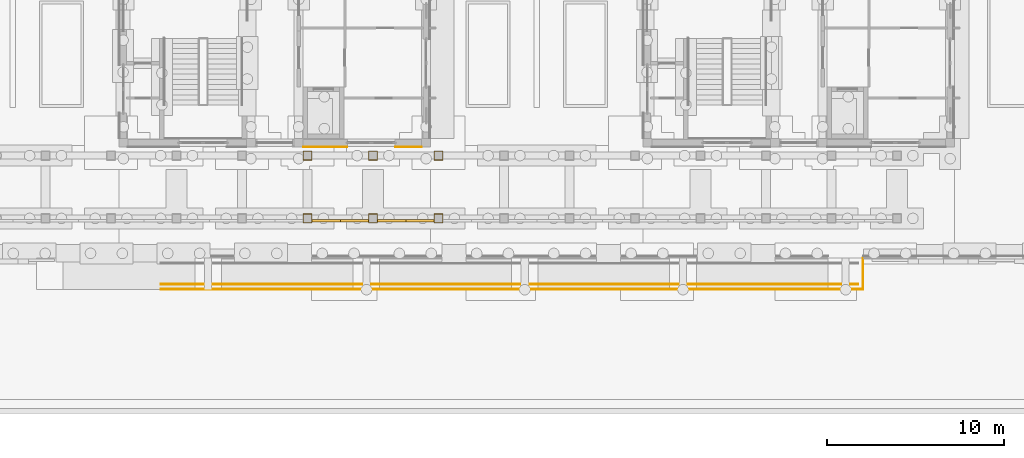
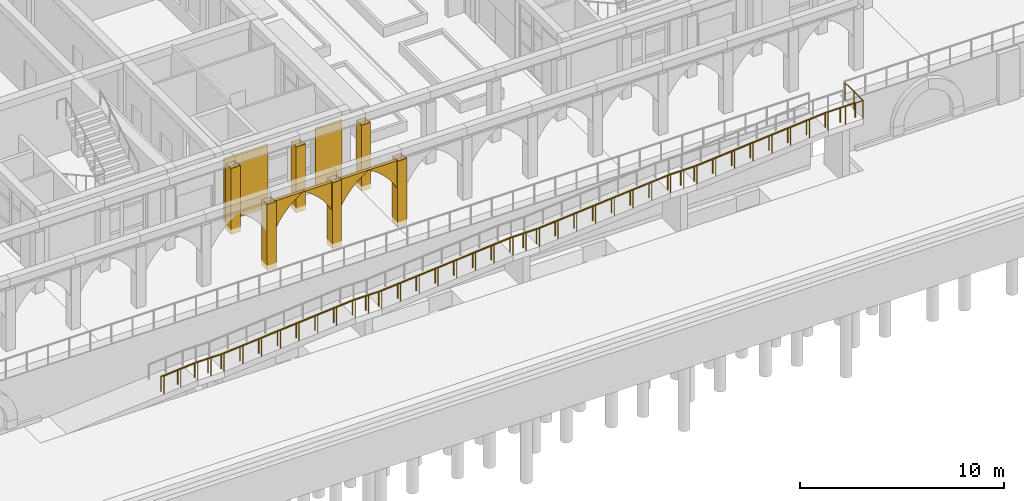
# One storey, part 121 of 161: 12 coverings, 2 railings.
"""IFC4 building model written with IfcOpenShell, lengths in metres."""

from ifc_helpers import new_model, si_unit, direction, frame, origin, origin_2d, place, context, subcontext, project, spatial, polyline, rectangle, circle, outline, extrude, material, layer, layer_set, type_object, element, save


model = new_model("IFC4")

# Units and contexts
model_context = context("Model", 3, precision=1e-05, world=origin(), true_north=direction((0.0, 1.0)))
body_context = subcontext(model_context, "Body", "Model", "MODEL_VIEW")
ifc_project = project(units=[si_unit("LENGTHUNIT", "METRE"), si_unit("AREAUNIT", "SQUARE_METRE"), si_unit("VOLUMEUNIT", "CUBIC_METRE"), si_unit("PLANEANGLEUNIT", "RADIAN"), si_unit("MASSUNIT", "GRAM", prefix="KILO")], contexts=[model_context])

# Site, building, storey
site_placement = place(None, origin())
site = spatial("IfcSite", under=ifc_project, at=site_placement, CompositionType="ELEMENT")
building_placement = place(site_placement, origin())
building = spatial("IfcBuilding", under=site, at=building_placement, Name="Elbe Cascade School", CompositionType="ELEMENT")
storey_placement = place(building_placement, origin())
storey = spatial("IfcBuildingStorey", under=building, at=storey_placement, Name="L00", CompositionType="ELEMENT", Elevation=0.0)

# Coverings
ifc_material_1 = material(Name="Sandstone - red", Category="masonry")
ifc_layer_1 = layer(ifc_material_1, 0.0400390625)
ifc_layer_set_1 = layer_set([ifc_layer_1], Name="Sandstone - red")
covering_type_1 = type_object("IfcCoveringType", Name="Bars envelope Sandstone cladding, red, 40 mm", PredefinedType="CLADDING", material=ifc_layer_set_1)
covering_1_placement = place(storey_placement, frame((139.60009765625, 5.760009765625, 0.0), z_axis=(0.0, 0.0, 1.0), x_axis=(1.0, 0.0, 0.0)))
element("IfcCovering", 1, at=covering_1_placement, inside=storey, type_object=covering_type_1, Name="Sandstone cladding CV48 C.L00.s.3a.1", PredefinedType="CLADDING", context=body_context, shape_type="SweptSolid", body=[
    extrude(rectangle(XDim=2.5, YDim=0.0400390625, at=origin_2d()), origin(), (0.0, 0.0, 1.0), 3.800048828125),
])
covering_2_placement = place(storey_placement, frame((144.300048828125, 5.760009765625, 0.0), z_axis=(0.0, 0.0, 1.0), x_axis=(1.0, 0.0, 0.0)))
element("IfcCovering", 2, at=covering_2_placement, inside=storey, type_object=covering_type_1, Name="Sandstone cladding CV48 C.L00.s.3b.1", PredefinedType="CLADDING", context=body_context, shape_type="SweptSolid", body=[
    extrude(rectangle(XDim=1.5, YDim=0.0400390625, at=origin_2d()), origin(), (0.0, 0.0, 1.0), 3.800048828125),
])

# Railings
ifc_material_2 = material(Name="Steel S355J2H", Category="steel")
railing_type_1 = type_object("IfcRailingType", Name="Quay and steps guard 1100", PredefinedType="GUARDRAIL", material=ifc_material_2)
railing_1_placement = place(storey_placement, frame((130.320068359375, -2.279052734375, -2.639892578125)))
element("IfcRailing", 3, at=railing_1_placement, inside=storey, type_object=railing_type_1, Name="Quay ramp south guard", PredefinedType="GUARDRAIL", context=body_context, shape_type="SweptSolid", body=[
    extrude(circle(Radius=0.02392578125, at=origin_2d()), frame((0.0, 0.0, 1.076171875), z_axis=(0.996549253167, 0.0, 0.083003530115), x_axis=(0.0, 1.0, 0.0)), (0.0, 0.0, 1.0), 1.926513671875),
    extrude(circle(Radius=0.02392578125, at=origin_2d()), frame((1.919921875, 0.0, 1.23583984375), z_axis=(1.0, 0.0, 0.0), x_axis=(0.0, 1.0, 0.0)), (0.0, 0.0, 1.0), 1.5),
    extrude(circle(Radius=0.02392578125, at=origin_2d()), frame((3.419921875, 0.0, 1.23583984375), z_axis=(0.99654711128, 0.0, 0.08302924183), x_axis=(0.0, 1.0, 0.0)), (0.0, 0.0, 1.0), 7.4658203125),
    extrude(circle(Radius=0.02392578125, at=origin_2d()), frame((10.85986328125, 0.0, 1.85595703125), z_axis=(1.0, 0.0, 0.0), x_axis=(0.0, 1.0, 0.0)), (0.0, 0.0, 1.0), 1.5),
    extrude(circle(Radius=0.02392578125, at=origin_2d()), frame((12.35986328125, 0.0, 1.85595703125), z_axis=(0.996544630553, 0.0, 0.083059011045), x_axis=(0.0, 1.0, 0.0)), (0.0, 0.0, 1.0), 7.466064453125),
    extrude(circle(Radius=0.02392578125, at=origin_2d()), frame((19.800048828125, 0.0, 2.47607421875), z_axis=(1.0, 0.0, 0.0), x_axis=(0.0, 1.0, 0.0)), (0.0, 0.0, 1.0), 1.5),
    extrude(circle(Radius=0.02392578125, at=origin_2d()), frame((21.300048828125, 0.0, 2.47607421875), z_axis=(0.99654711128, 0.0, 0.08302924183), x_axis=(0.0, 1.0, 0.0)), (0.0, 0.0, 1.0), 7.4658203125),
    extrude(circle(Radius=0.02392578125, at=origin_2d()), frame((28.739990234375, 0.0, 3.095703125), z_axis=(1.0, 0.0, 0.0), x_axis=(0.0, 1.0, 0.0)), (0.0, 0.0, 1.0), 1.5),
    extrude(circle(Radius=0.02392578125, at=origin_2d()), frame((30.239990234375, 0.0, 3.095703125), z_axis=(0.996544404949, 0.0, 0.083061717811), x_axis=(0.0, 1.0, 0.0)), (0.0, 0.0, 1.0), 7.4658203125),
    extrude(circle(Radius=0.02392578125, at=origin_2d()), frame((37.679931640625, 0.0, 3.7158203125), z_axis=(1.0, 0.0, 0.0), x_axis=(0.0, 1.0, 0.0)), (0.0, 0.0, 1.0), 1.97900390625),
    extrude(circle(Radius=0.02392578125, at=origin_2d()), frame((39.658935546875, 0.0, 3.7158203125), z_axis=(0.0, 1.0, 0.0), x_axis=(-1.0, 0.0, 0.0)), (0.0, 0.0, 1.0), 1.758056640625),
    extrude(circle(Radius=0.02099609375, at=origin_2d()), origin(), (0.0, 0.0, 1.0), 1.052001953125),
    extrude(circle(Radius=0.02099609375, at=origin_2d()), frame((0.9599609375, 0.0, 0.080078125)), (0.0, 0.0, 1.0), 1.052001953125),
    extrude(circle(Radius=0.02099609375, at=origin_2d()), frame((1.919921875, 0.0, 0.159912109375)), (0.0, 0.0, 1.0), 1.052001953125),
    extrude(circle(Radius=0.02099609375, at=origin_2d()), frame((2.669921875, 0.0, 0.159912109375)), (0.0, 0.0, 1.0), 1.052001953125),
    extrude(circle(Radius=0.02099609375, at=origin_2d()), frame((3.419921875, 0.0, 0.159912109375)), (0.0, 0.0, 1.0), 1.052001953125),
    extrude(circle(Radius=0.02099609375, at=origin_2d()), frame((4.482666015625, 0.0, 0.24853515625)), (0.0, 0.0, 1.0), 1.052001953125),
    extrude(circle(Radius=0.02099609375, at=origin_2d()), frame((5.545654296875, 0.0, 0.3369140625)), (0.0, 0.0, 1.0), 1.052001953125),
    extrude(circle(Radius=0.02099609375, at=origin_2d()), frame((6.6083984375, 0.0, 0.425537109375)), (0.0, 0.0, 1.0), 1.052001953125),
    extrude(circle(Radius=0.02099609375, at=origin_2d()), frame((7.67138671875, 0.0, 0.51416015625)), (0.0, 0.0, 1.0), 1.052001953125),
    extrude(circle(Radius=0.02099609375, at=origin_2d()), frame((8.734130859375, 0.0, 0.602783203125)), (0.0, 0.0, 1.0), 1.052001953125),
    extrude(circle(Radius=0.02099609375, at=origin_2d()), frame((9.797119140625, 0.0, 0.691162109375)), (0.0, 0.0, 1.0), 1.052001953125),
    extrude(circle(Radius=0.02099609375, at=origin_2d()), frame((10.85986328125, 0.0, 0.77978515625)), (0.0, 0.0, 1.0), 1.052001953125),
    extrude(circle(Radius=0.02099609375, at=origin_2d()), frame((11.60986328125, 0.0, 0.77978515625)), (0.0, 0.0, 1.0), 1.052001953125),
    extrude(circle(Radius=0.02099609375, at=origin_2d()), frame((12.35986328125, 0.0, 0.77978515625)), (0.0, 0.0, 1.0), 1.052001953125),
    extrude(circle(Radius=0.02099609375, at=origin_2d()), frame((13.4228515625, 0.0, 0.868408203125)), (0.0, 0.0, 1.0), 1.052001953125),
    extrude(circle(Radius=0.02099609375, at=origin_2d()), frame((14.485595703125, 0.0, 0.95703125)), (0.0, 0.0, 1.0), 1.052001953125),
    extrude(circle(Radius=0.02099609375, at=origin_2d()), frame((15.548583984375, 0.0, 1.045654296875)), (0.0, 0.0, 1.0), 1.052001953125),
    extrude(circle(Radius=0.02099609375, at=origin_2d()), frame((16.611328125, 0.0, 1.134033203125)), (0.0, 0.0, 1.0), 1.052001953125),
    extrude(circle(Radius=0.02099609375, at=origin_2d()), frame((17.67431640625, 0.0, 1.22265625)), (0.0, 0.0, 1.0), 1.052001953125),
    extrude(circle(Radius=0.02099609375, at=origin_2d()), frame((18.737060546875, 0.0, 1.311279296875)), (0.0, 0.0, 1.0), 1.052001953125),
    extrude(circle(Radius=0.02099609375, at=origin_2d()), frame((19.800048828125, 0.0, 1.39990234375)), (0.0, 0.0, 1.0), 1.052001953125),
    extrude(circle(Radius=0.02099609375, at=origin_2d()), frame((20.550048828125, 0.0, 1.39990234375)), (0.0, 0.0, 1.0), 1.052001953125),
    extrude(circle(Radius=0.02099609375, at=origin_2d()), frame((21.300048828125, 0.0, 1.39990234375)), (0.0, 0.0, 1.0), 1.052001953125),
    extrude(circle(Radius=0.02099609375, at=origin_2d()), frame((22.36279296875, 0.0, 1.488525390625)), (0.0, 0.0, 1.0), 1.052001953125),
    extrude(circle(Radius=0.02099609375, at=origin_2d()), frame((23.42578125, 0.0, 1.576904296875)), (0.0, 0.0, 1.0), 1.052001953125),
    extrude(circle(Radius=0.02099609375, at=origin_2d()), frame((24.488525390625, 0.0, 1.66552734375)), (0.0, 0.0, 1.0), 1.052001953125),
    extrude(circle(Radius=0.02099609375, at=origin_2d()), frame((25.551513671875, 0.0, 1.754150390625)), (0.0, 0.0, 1.0), 1.052001953125),
    extrude(circle(Radius=0.02099609375, at=origin_2d()), frame((26.6142578125, 0.0, 1.8427734375)), (0.0, 0.0, 1.0), 1.052001953125),
    extrude(circle(Radius=0.02099609375, at=origin_2d()), frame((27.67724609375, 0.0, 1.93115234375)), (0.0, 0.0, 1.0), 1.052001953125),
    extrude(circle(Radius=0.02099609375, at=origin_2d()), frame((28.739990234375, 0.0, 2.019775390625)), (0.0, 0.0, 1.0), 1.052001953125),
    extrude(circle(Radius=0.02099609375, at=origin_2d()), frame((29.489990234375, 0.0, 2.019775390625)), (0.0, 0.0, 1.0), 1.052001953125),
    extrude(circle(Radius=0.02099609375, at=origin_2d()), frame((30.239990234375, 0.0, 2.019775390625)), (0.0, 0.0, 1.0), 1.052001953125),
    extrude(circle(Radius=0.02099609375, at=origin_2d()), frame((31.302734375, 0.0, 2.1083984375)), (0.0, 0.0, 1.0), 1.052001953125),
    extrude(circle(Radius=0.02099609375, at=origin_2d()), frame((32.36572265625, 0.0, 2.197021484375)), (0.0, 0.0, 1.0), 1.052001953125),
    extrude(circle(Radius=0.02099609375, at=origin_2d()), frame((33.428466796875, 0.0, 2.28564453125)), (0.0, 0.0, 1.0), 1.052001953125),
    extrude(circle(Radius=0.02099609375, at=origin_2d()), frame((34.491455078125, 0.0, 2.3740234375)), (0.0, 0.0, 1.0), 1.052001953125),
    extrude(circle(Radius=0.02099609375, at=origin_2d()), frame((35.55419921875, 0.0, 2.462646484375)), (0.0, 0.0, 1.0), 1.052001953125),
    extrude(circle(Radius=0.02099609375, at=origin_2d()), frame((36.6171875, 0.0, 2.55126953125)), (0.0, 0.0, 1.0), 1.052001953125),
    extrude(circle(Radius=0.02099609375, at=origin_2d()), frame((37.679931640625, 0.0, 2.639892578125)), (0.0, 0.0, 1.0), 1.052001953125),
    extrude(circle(Radius=0.02099609375, at=origin_2d()), frame((38.66943359375, 0.0, 2.639892578125)), (0.0, 0.0, 1.0), 1.052001953125),
    extrude(circle(Radius=0.02099609375, at=origin_2d()), frame((39.658935546875, 0.0, 2.639892578125)), (0.0, 0.0, 1.0), 1.052001953125),
    extrude(circle(Radius=0.02099609375, at=origin_2d()), frame((39.658935546875, 0.87890625, 2.639892578125)), (0.0, 0.0, 1.0), 1.052001953125),
    extrude(circle(Radius=0.02099609375, at=origin_2d()), frame((39.658935546875, 1.758056640625, 2.639892578125)), (0.0, 0.0, 1.0), 1.052001953125),
])
ifc_material_3 = material(Name="Steel S355J2H", Category="steel")
railing_type_2 = type_object("IfcRailingType", Name="Quay and steps handrail 900", PredefinedType="HANDRAIL", material=ifc_material_3)
railing_2_placement = place(storey_placement, frame((130.320068359375, -2.0, -2.639892578125)))
element("IfcRailing", 4, at=railing_2_placement, inside=storey, type_object=railing_type_2, Name="Quay ramp south hand", PredefinedType="HANDRAIL", context=body_context, shape_type="SweptSolid", body=[
    extrude(circle(Radius=0.02392578125, at=origin_2d()), frame((0.0, 0.0, 0.8759765625), z_axis=(0.996549253167, 0.0, 0.083003530115), x_axis=(0.0, 1.0, 0.0)), (0.0, 0.0, 1.0), 1.926513671875),
    extrude(circle(Radius=0.02392578125, at=origin_2d()), frame((1.919921875, 0.0, 1.03564453125), z_axis=(1.0, 0.0, 0.0), x_axis=(0.0, 1.0, 0.0)), (0.0, 0.0, 1.0), 1.5),
    extrude(circle(Radius=0.02392578125, at=origin_2d()), frame((3.419921875, 0.0, 1.03564453125), z_axis=(0.99654711128, 0.0, 0.08302924183), x_axis=(0.0, 1.0, 0.0)), (0.0, 0.0, 1.0), 7.4658203125),
    extrude(circle(Radius=0.02392578125, at=origin_2d()), frame((10.85986328125, 0.0, 1.65576171875), z_axis=(1.0, 0.0, 0.0), x_axis=(0.0, 1.0, 0.0)), (0.0, 0.0, 1.0), 1.5),
    extrude(circle(Radius=0.02392578125, at=origin_2d()), frame((12.35986328125, 0.0, 1.65576171875), z_axis=(0.996544630553, 0.0, 0.083059011045), x_axis=(0.0, 1.0, 0.0)), (0.0, 0.0, 1.0), 7.466064453125),
    extrude(circle(Radius=0.02392578125, at=origin_2d()), frame((19.800048828125, 0.0, 2.27587890625), z_axis=(1.0, 0.0, 0.0), x_axis=(0.0, 1.0, 0.0)), (0.0, 0.0, 1.0), 1.5),
    extrude(circle(Radius=0.02392578125, at=origin_2d()), frame((21.300048828125, 0.0, 2.27587890625), z_axis=(0.99654711128, 0.0, 0.08302924183), x_axis=(0.0, 1.0, 0.0)), (0.0, 0.0, 1.0), 7.4658203125),
    extrude(circle(Radius=0.02392578125, at=origin_2d()), frame((28.739990234375, 0.0, 2.8955078125), z_axis=(1.0, 0.0, 0.0), x_axis=(0.0, 1.0, 0.0)), (0.0, 0.0, 1.0), 1.5),
    extrude(circle(Radius=0.02392578125, at=origin_2d()), frame((30.239990234375, 0.0, 2.8955078125), z_axis=(0.996544404949, 0.0, 0.083061717811), x_axis=(0.0, 1.0, 0.0)), (0.0, 0.0, 1.0), 7.4658203125),
    extrude(circle(Radius=0.02392578125, at=origin_2d()), frame((37.679931640625, 0.0, 3.515625), z_axis=(1.0, 0.0, 0.0), x_axis=(0.0, 1.0, 0.0)), (0.0, 0.0, 1.0), 1.699951171875),
    extrude(circle(Radius=0.02099609375, at=origin_2d()), origin(), (0.0, 0.0, 1.0), 0.851806640625),
    extrude(circle(Radius=0.02099609375, at=origin_2d()), frame((0.9599609375, 0.0, 0.080078125)), (0.0, 0.0, 1.0), 0.851806640625),
    extrude(circle(Radius=0.02099609375, at=origin_2d()), frame((1.919921875, 0.0, 0.159912109375)), (0.0, 0.0, 1.0), 0.851806640625),
    extrude(circle(Radius=0.02099609375, at=origin_2d()), frame((2.669921875, 0.0, 0.159912109375)), (0.0, 0.0, 1.0), 0.851806640625),
    extrude(circle(Radius=0.02099609375, at=origin_2d()), frame((3.419921875, 0.0, 0.159912109375)), (0.0, 0.0, 1.0), 0.851806640625),
    extrude(circle(Radius=0.02099609375, at=origin_2d()), frame((4.482666015625, 0.0, 0.24853515625)), (0.0, 0.0, 1.0), 0.851806640625),
    extrude(circle(Radius=0.02099609375, at=origin_2d()), frame((5.545654296875, 0.0, 0.3369140625)), (0.0, 0.0, 1.0), 0.851806640625),
    extrude(circle(Radius=0.02099609375, at=origin_2d()), frame((6.6083984375, 0.0, 0.425537109375)), (0.0, 0.0, 1.0), 0.851806640625),
    extrude(circle(Radius=0.02099609375, at=origin_2d()), frame((7.67138671875, 0.0, 0.51416015625)), (0.0, 0.0, 1.0), 0.851806640625),
    extrude(circle(Radius=0.02099609375, at=origin_2d()), frame((8.734130859375, 0.0, 0.602783203125)), (0.0, 0.0, 1.0), 0.851806640625),
    extrude(circle(Radius=0.02099609375, at=origin_2d()), frame((9.797119140625, 0.0, 0.691162109375)), (0.0, 0.0, 1.0), 0.851806640625),
    extrude(circle(Radius=0.02099609375, at=origin_2d()), frame((10.85986328125, 0.0, 0.77978515625)), (0.0, 0.0, 1.0), 0.851806640625),
    extrude(circle(Radius=0.02099609375, at=origin_2d()), frame((11.60986328125, 0.0, 0.77978515625)), (0.0, 0.0, 1.0), 0.851806640625),
    extrude(circle(Radius=0.02099609375, at=origin_2d()), frame((12.35986328125, 0.0, 0.77978515625)), (0.0, 0.0, 1.0), 0.851806640625),
    extrude(circle(Radius=0.02099609375, at=origin_2d()), frame((13.4228515625, 0.0, 0.868408203125)), (0.0, 0.0, 1.0), 0.851806640625),
    extrude(circle(Radius=0.02099609375, at=origin_2d()), frame((14.485595703125, 0.0, 0.95703125)), (0.0, 0.0, 1.0), 0.851806640625),
    extrude(circle(Radius=0.02099609375, at=origin_2d()), frame((15.548583984375, 0.0, 1.045654296875)), (0.0, 0.0, 1.0), 0.851806640625),
    extrude(circle(Radius=0.02099609375, at=origin_2d()), frame((16.611328125, 0.0, 1.134033203125)), (0.0, 0.0, 1.0), 0.851806640625),
    extrude(circle(Radius=0.02099609375, at=origin_2d()), frame((17.67431640625, 0.0, 1.22265625)), (0.0, 0.0, 1.0), 0.851806640625),
    extrude(circle(Radius=0.02099609375, at=origin_2d()), frame((18.737060546875, 0.0, 1.311279296875)), (0.0, 0.0, 1.0), 0.851806640625),
    extrude(circle(Radius=0.02099609375, at=origin_2d()), frame((19.800048828125, 0.0, 1.39990234375)), (0.0, 0.0, 1.0), 0.851806640625),
    extrude(circle(Radius=0.02099609375, at=origin_2d()), frame((20.550048828125, 0.0, 1.39990234375)), (0.0, 0.0, 1.0), 0.851806640625),
    extrude(circle(Radius=0.02099609375, at=origin_2d()), frame((21.300048828125, 0.0, 1.39990234375)), (0.0, 0.0, 1.0), 0.851806640625),
    extrude(circle(Radius=0.02099609375, at=origin_2d()), frame((22.36279296875, 0.0, 1.488525390625)), (0.0, 0.0, 1.0), 0.851806640625),
    extrude(circle(Radius=0.02099609375, at=origin_2d()), frame((23.42578125, 0.0, 1.576904296875)), (0.0, 0.0, 1.0), 0.851806640625),
    extrude(circle(Radius=0.02099609375, at=origin_2d()), frame((24.488525390625, 0.0, 1.66552734375)), (0.0, 0.0, 1.0), 0.851806640625),
    extrude(circle(Radius=0.02099609375, at=origin_2d()), frame((25.551513671875, 0.0, 1.754150390625)), (0.0, 0.0, 1.0), 0.851806640625),
    extrude(circle(Radius=0.02099609375, at=origin_2d()), frame((26.6142578125, 0.0, 1.8427734375)), (0.0, 0.0, 1.0), 0.851806640625),
    extrude(circle(Radius=0.02099609375, at=origin_2d()), frame((27.67724609375, 0.0, 1.93115234375)), (0.0, 0.0, 1.0), 0.851806640625),
    extrude(circle(Radius=0.02099609375, at=origin_2d()), frame((28.739990234375, 0.0, 2.019775390625)), (0.0, 0.0, 1.0), 0.851806640625),
    extrude(circle(Radius=0.02099609375, at=origin_2d()), frame((29.489990234375, 0.0, 2.019775390625)), (0.0, 0.0, 1.0), 0.851806640625),
    extrude(circle(Radius=0.02099609375, at=origin_2d()), frame((30.239990234375, 0.0, 2.019775390625)), (0.0, 0.0, 1.0), 0.851806640625),
    extrude(circle(Radius=0.02099609375, at=origin_2d()), frame((31.302734375, 0.0, 2.1083984375)), (0.0, 0.0, 1.0), 0.851806640625),
    extrude(circle(Radius=0.02099609375, at=origin_2d()), frame((32.36572265625, 0.0, 2.197021484375)), (0.0, 0.0, 1.0), 0.851806640625),
    extrude(circle(Radius=0.02099609375, at=origin_2d()), frame((33.428466796875, 0.0, 2.28564453125)), (0.0, 0.0, 1.0), 0.851806640625),
    extrude(circle(Radius=0.02099609375, at=origin_2d()), frame((34.491455078125, 0.0, 2.3740234375)), (0.0, 0.0, 1.0), 0.851806640625),
    extrude(circle(Radius=0.02099609375, at=origin_2d()), frame((35.55419921875, 0.0, 2.462646484375)), (0.0, 0.0, 1.0), 0.851806640625),
    extrude(circle(Radius=0.02099609375, at=origin_2d()), frame((36.6171875, 0.0, 2.55126953125)), (0.0, 0.0, 1.0), 0.851806640625),
    extrude(circle(Radius=0.02099609375, at=origin_2d()), frame((37.679931640625, 0.0, 2.639892578125)), (0.0, 0.0, 1.0), 0.851806640625),
    extrude(circle(Radius=0.02099609375, at=origin_2d()), frame((38.52978515625, 0.0, 2.639892578125)), (0.0, 0.0, 1.0), 0.851806640625),
    extrude(circle(Radius=0.02099609375, at=origin_2d()), frame((39.3798828125, 0.0, 2.639892578125)), (0.0, 0.0, 1.0), 0.851806640625),
])

# Coverings
ifc_material_4 = material(Name="Sandstone - red", Category="masonry")
ifc_layer_2 = layer(ifc_material_4, 0.14990234375)
ifc_layer_set_2 = layer_set([ifc_layer_2], Name="Sandstone - red")
covering_type_2 = type_object("IfcCoveringType", Name="Sandstone arch spandrel 3170x150", PredefinedType="CLADDING", material=ifc_layer_set_2)
covering_3_placement = place(storey_placement, frame((138.864990234375, 1.52490234375, 3.64990234375), z_axis=(0.0, -1.0, 0.0), x_axis=(0.0, 0.0, -1.0)))
element("IfcCovering", 5, at=covering_3_placement, inside=storey, type_object=covering_type_2, Name="Colonnade arch spandrel 36l", PredefinedType="CLADDING", context=body_context, shape_type="SweptSolid", body=[
    extrude(outline(polyline([(0.0, 0.0), (1.64990234375, 0.0), (1.39697265625, 0.141845703125), (1.155029296875, 0.3017578125), (0.92529296875, 0.478759765625), (0.709228515625, 0.672119140625), (0.507568359375, 0.88037109375), (0.3212890625, 1.102783203125), (0.15185546875, 1.337890625), (0.0, 1.5849609375), (0.0, 0.0)])), origin(), (0.0, 0.0, -1.0), 0.14990234375),
])
covering_4_placement = place(storey_placement, frame((140.449951171875, 1.52490234375, 3.64990234375), z_axis=(0.0, -1.0, 0.0), x_axis=(0.851947232707, 0.0, -0.52362764698)))
element("IfcCovering", 6, at=covering_4_placement, inside=storey, type_object=covering_type_2, Name="Colonnade arch spandrel 36r", PredefinedType="CLADDING", context=body_context, shape_type="SweptSolid", body=[
    extrude(outline(polyline([(0.0, 0.0), (0.2900065908011918, 0.0), (0.5792338172011682, -0.021111896437985944), (0.866258188207625, -0.06335089842938235), (1.1492726964852549, -0.12610823030003315), (1.4269340071906127, -0.20906326745450166), (1.6980266242612543, -0.3121033802272114), (1.960951535291733, -0.4344919541630051), (2.2142375666576024, -0.5757003697365862), (1.3503030846525463, 0.8299293662587784), (0.0, 0.0)])), origin(), (0.0, 0.0, -1.0), 0.14990234375),
])
covering_5_placement = place(storey_placement, frame((142.56494140625, 1.52490234375, 3.64990234375), z_axis=(0.0, -1.0, 0.0), x_axis=(0.0, 0.0, -1.0)))
element("IfcCovering", 7, at=covering_5_placement, inside=storey, type_object=covering_type_2, Name="Colonnade arch spandrel 37l", PredefinedType="CLADDING", context=body_context, shape_type="SweptSolid", body=[
    extrude(outline(polyline([(0.0, 0.0), (1.64990234375, 0.0), (1.39697265625, 0.141845703125), (1.155029296875, 0.3017578125), (0.92529296875, 0.478759765625), (0.709228515625, 0.672119140625), (0.507568359375, 0.88037109375), (0.3212890625, 1.102783203125), (0.15185546875, 1.338134765625), (0.0, 1.5849609375), (0.0, 0.0)])), origin(), (0.0, 0.0, -1.0), 0.14990234375),
])
covering_6_placement = place(storey_placement, frame((144.14990234375, 1.52490234375, 3.64990234375), z_axis=(0.0, -1.0, 0.0), x_axis=(0.851947232707, 0.0, -0.52362764698)))
element("IfcCovering", 8, at=covering_6_placement, inside=storey, type_object=covering_type_2, Name="Colonnade arch spandrel 37r", PredefinedType="CLADDING", context=body_context, shape_type="SweptSolid", body=[
    extrude(outline(polyline([(0.0, 0.0), (0.2900065908011918, 0.0), (0.5792338172011682, -0.021111896437985944), (0.866258188207625, -0.06335089842938235), (1.1492726964852549, -0.12610823030003315), (1.4269340071906127, -0.20906326745450166), (1.6980266242612543, -0.3121033802272114), (1.960951535291733, -0.4344919541630051), (2.2144455615874628, -0.5755725309555851), (1.3505110795824065, 0.8300572050397795), (0.0, 0.0)])), origin(), (0.0, 0.0, -1.0), 0.14990234375),
])
ifc_material_5 = material(Name="Sandstone - red", Category="masonry")
ifc_layer_3 = layer(ifc_material_5, 0.0400390625)
ifc_layer_set_3 = layer_set([ifc_layer_3], Name="Sandstone - red")
covering_type_3 = type_object("IfcCoveringType", Name="Sandstone column cladding 40", PredefinedType="CLADDING", material=ifc_layer_set_3)
covering_7_placement = place(storey_placement, frame((0.0, 0.0, -0.300048828125)))
element("IfcCovering", 9, at=covering_7_placement, inside=storey, type_object=covering_type_3, Name="Colonnade column sandstone cladding F36", PredefinedType="CLADDING", context=body_context, shape_type="SweptSolid", body=[
    extrude(outline(polyline([(138.3349609375, 1.4599609375), (138.864990234375, 1.4599609375), (138.864990234375, 1.989990234375), (138.3349609375, 1.989990234375), (138.3349609375, 1.4599609375)]), holes=[polyline([(138.375, 1.949951171875), (138.824951171875, 1.949951171875), (138.824951171875, 1.5), (138.375, 1.5), (138.375, 1.949951171875)])]), origin(), (0.0, 0.0, 1.0), 3.949951171875),
])
covering_8_placement = place(storey_placement, frame((0.0, 0.0, -0.300048828125)))
element("IfcCovering", 10, at=covering_8_placement, inside=storey, type_object=covering_type_3, Name="Colonnade column sandstone cladding F37", PredefinedType="CLADDING", context=body_context, shape_type="SweptSolid", body=[
    extrude(outline(polyline([(142.034912109375, 1.4599609375), (142.56494140625, 1.4599609375), (142.56494140625, 1.989990234375), (142.034912109375, 1.989990234375), (142.034912109375, 1.4599609375)]), holes=[polyline([(142.074951171875, 1.949951171875), (142.52490234375, 1.949951171875), (142.52490234375, 1.5), (142.074951171875, 1.5), (142.074951171875, 1.949951171875)])]), origin(), (0.0, 0.0, 1.0), 3.949951171875),
])
covering_9_placement = place(storey_placement, frame((0.0, 0.0, -0.300048828125)))
element("IfcCovering", 11, at=covering_9_placement, inside=storey, type_object=covering_type_3, Name="Colonnade column sandstone cladding F38", PredefinedType="CLADDING", context=body_context, shape_type="SweptSolid", body=[
    extrude(outline(polyline([(145.735107421875, 1.4599609375), (146.264892578125, 1.4599609375), (146.264892578125, 1.989990234375), (145.735107421875, 1.989990234375), (145.735107421875, 1.4599609375)]), holes=[polyline([(145.77490234375, 1.949951171875), (146.22509765625, 1.949951171875), (146.22509765625, 1.5), (145.77490234375, 1.5), (145.77490234375, 1.949951171875)])]), origin(), (0.0, 0.0, 1.0), 3.949951171875),
])
covering_10_placement = place(storey_placement, frame((0.0, 0.0, -0.300048828125)))
element("IfcCovering", 12, at=covering_10_placement, inside=storey, type_object=covering_type_3, Name="Colonnade column sandstone cladding R36", PredefinedType="CLADDING", context=body_context, shape_type="SweptSolid", body=[
    extrude(outline(polyline([(138.3349609375, 5.010009765625), (138.864990234375, 5.010009765625), (138.864990234375, 5.5400390625), (138.3349609375, 5.5400390625), (138.3349609375, 5.010009765625)]), holes=[polyline([(138.375, 5.5), (138.824951171875, 5.5), (138.824951171875, 5.050048828125), (138.375, 5.050048828125), (138.375, 5.5)])]), origin(), (0.0, 0.0, 1.0), 3.949951171875),
])
covering_11_placement = place(storey_placement, frame((0.0, 0.0, -0.300048828125)))
element("IfcCovering", 13, at=covering_11_placement, inside=storey, type_object=covering_type_3, Name="Colonnade column sandstone cladding R37", PredefinedType="CLADDING", context=body_context, shape_type="SweptSolid", body=[
    extrude(outline(polyline([(142.034912109375, 5.010009765625), (142.56494140625, 5.010009765625), (142.56494140625, 5.5400390625), (142.034912109375, 5.5400390625), (142.034912109375, 5.010009765625)]), holes=[polyline([(142.074951171875, 5.5), (142.52490234375, 5.5), (142.52490234375, 5.050048828125), (142.074951171875, 5.050048828125), (142.074951171875, 5.5)])]), origin(), (0.0, 0.0, 1.0), 3.949951171875),
])
covering_12_placement = place(storey_placement, frame((0.0, 0.0, -0.300048828125)))
element("IfcCovering", 14, at=covering_12_placement, inside=storey, type_object=covering_type_3, Name="Colonnade column sandstone cladding R38", PredefinedType="CLADDING", context=body_context, shape_type="SweptSolid", body=[
    extrude(outline(polyline([(145.735107421875, 5.010009765625), (146.264892578125, 5.010009765625), (146.264892578125, 5.5400390625), (145.735107421875, 5.5400390625), (145.735107421875, 5.010009765625)]), holes=[polyline([(145.77490234375, 5.5), (146.22509765625, 5.5), (146.22509765625, 5.050048828125), (145.77490234375, 5.050048828125), (145.77490234375, 5.5)])]), origin(), (0.0, 0.0, 1.0), 3.949951171875),
])

save(model, "model.ifc")
